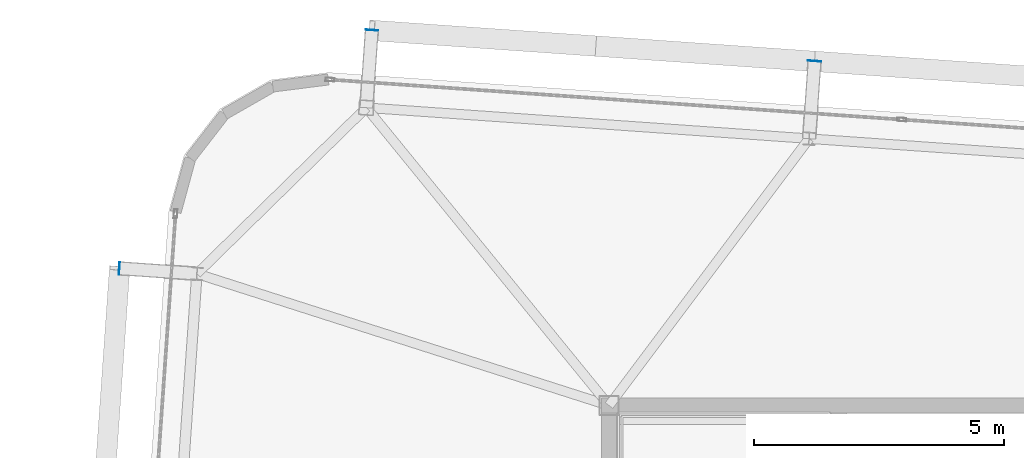
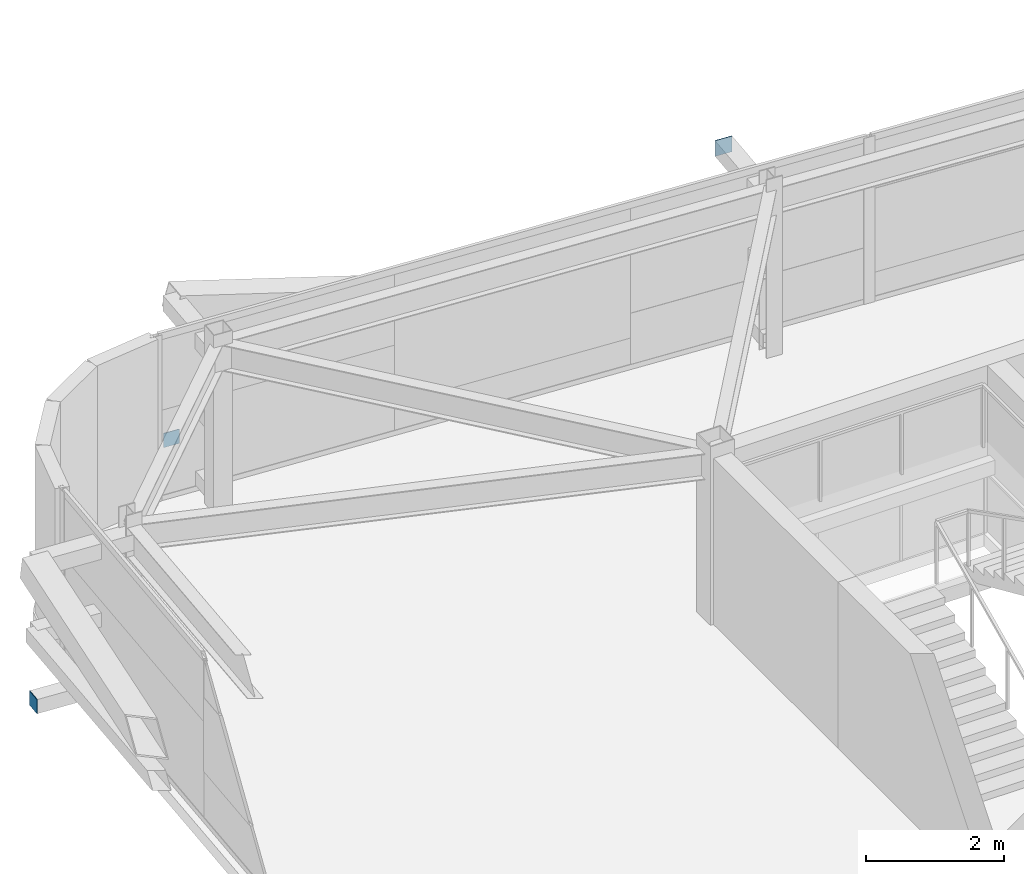
# One storey, part 32 of 39: 3 plates.
"""IFC4 building model written with IfcOpenShell, lengths in metres."""

from ifc_helpers import new_model, si_unit, direction, frame, origin, origin_2d, place, context, subcontext, project, spatial, rectangle, extrude, source, transform, mapped, material, layer, layer_set, type_object, element, save


model = new_model("IFC4")

# Units and contexts
model_context = context("Model", 3, precision=1e-05, world=origin(), true_north=direction((0.0, 1.0)))
body_context = subcontext(model_context, "Body", "Model", "MODEL_VIEW")
ifc_project = project(units=[si_unit("LENGTHUNIT", "METRE"), si_unit("AREAUNIT", "SQUARE_METRE"), si_unit("VOLUMEUNIT", "CUBIC_METRE"), si_unit("PLANEANGLEUNIT", "RADIAN"), si_unit("MASSUNIT", "GRAM", prefix="KILO")], contexts=[model_context])

# Site, building, storey
site_placement = place(None, origin())
site = spatial("IfcSite", under=ifc_project, at=site_placement, CompositionType="ELEMENT")
building_placement = place(site_placement, origin())
building = spatial("IfcBuilding", under=site, at=building_placement, Name="Taldren Reach Tower", CompositionType="ELEMENT")
storey_placement = place(building_placement, frame((0.0, 0.0, 155.050048828125)))
storey = spatial("IfcBuildingStorey", under=building, at=storey_placement, Name="L47", CompositionType="ELEMENT", Elevation=155.050048828125)

# Plates
ifc_material_1 = material(Name="Steel Gr 450 (C450L0)", Category="steel")
ifc_layer_1 = layer(ifc_material_1, 0.011962890625)
ifc_layer_set_1 = layer_set([ifc_layer_1], Name="Steel Gr 450 (C450L0)")
plate_type_1 = type_object("IfcPlateType", Name="PL-CAP-275", PredefinedType="SHEET", material=ifc_layer_set_1)
shared_shape_1 = source(origin(), body_context, "Body", "SweptSolid", [
    extrude(rectangle(XDim=0.27490234375, YDim=0.011962890625, at=origin_2d()), origin(), (0.0, 0.0, 1.0), 0.27490234375),
])
plate_1_placement = place(storey_placement, frame((23.111572265625, 38.8916015625, 2.512451171875), z_axis=(0.0, 0.0, 1.0), x_axis=(0.99756405026, -0.069756473744, 0.0)))
element("IfcPlate", 1, at=plate_1_placement, inside=storey, type_object=plate_type_1, Name="Tie strut end cap plate B3-N2 L47", PredefinedType="SHEET", context=body_context, shape_type="MappedRepresentation", body=[
    mapped(shared_shape_1, transform((0.0, 0.0, 0.0), scale=1.0)),
])
ifc_material_2 = material(Name="Steel Gr 350 (C350L0)", Category="steel")
ifc_layer_2 = layer(ifc_material_2, 0.011962890625)
ifc_layer_set_2 = layer_set([ifc_layer_2], Name="Steel Gr 350 (C350L0)")
plate_type_2 = type_object("IfcPlateType", Name="PL-CAP-250", PredefinedType="SHEET", material=ifc_layer_set_2)
shared_shape_2 = source(origin(), body_context, "Body", "SweptSolid", [
    extrude(rectangle(XDim=0.25, YDim=0.011962890625, at=origin_2d()), origin(), (0.0, 0.0, 1.0), 0.25),
])
plate_2_placement = place(storey_placement, frame((14.253173828125, 39.510986328125, 0.094970703125), z_axis=(0.0, 0.0, 1.0), x_axis=(0.99756405026, -0.069756473744, 0.0)))
element("IfcPlate", 2, at=plate_2_placement, inside=storey, type_object=plate_type_2, Name="Tie strut end cap plate B3-N1 L47", PredefinedType="SHEET", context=body_context, shape_type="MappedRepresentation", body=[
    mapped(shared_shape_2, transform((0.0, 0.0, 0.0), scale=1.0)),
])
shared_shape_3 = source(origin(), body_context, "Body", "SweptSolid", [
    extrude(rectangle(XDim=0.011962890625, YDim=0.25, at=origin_2d()), origin(), (0.0, 0.0, 1.0), 0.25),
])
plate_3_placement = place(storey_placement, frame((9.202392578125, 34.74560546875, 0.094970703125), z_axis=(0.0, 0.0, 1.0), x_axis=(0.99756405026, -0.069756473744, 0.0)))
element("IfcPlate", 3, at=plate_3_placement, inside=storey, type_object=plate_type_2, Name="Tie strut end cap plate B3-W3 L47", PredefinedType="SHEET", context=body_context, shape_type="MappedRepresentation", body=[
    mapped(shared_shape_3, transform((0.0, 0.0, 0.0), scale=1.0)),
])

save(model, "model.ifc")
